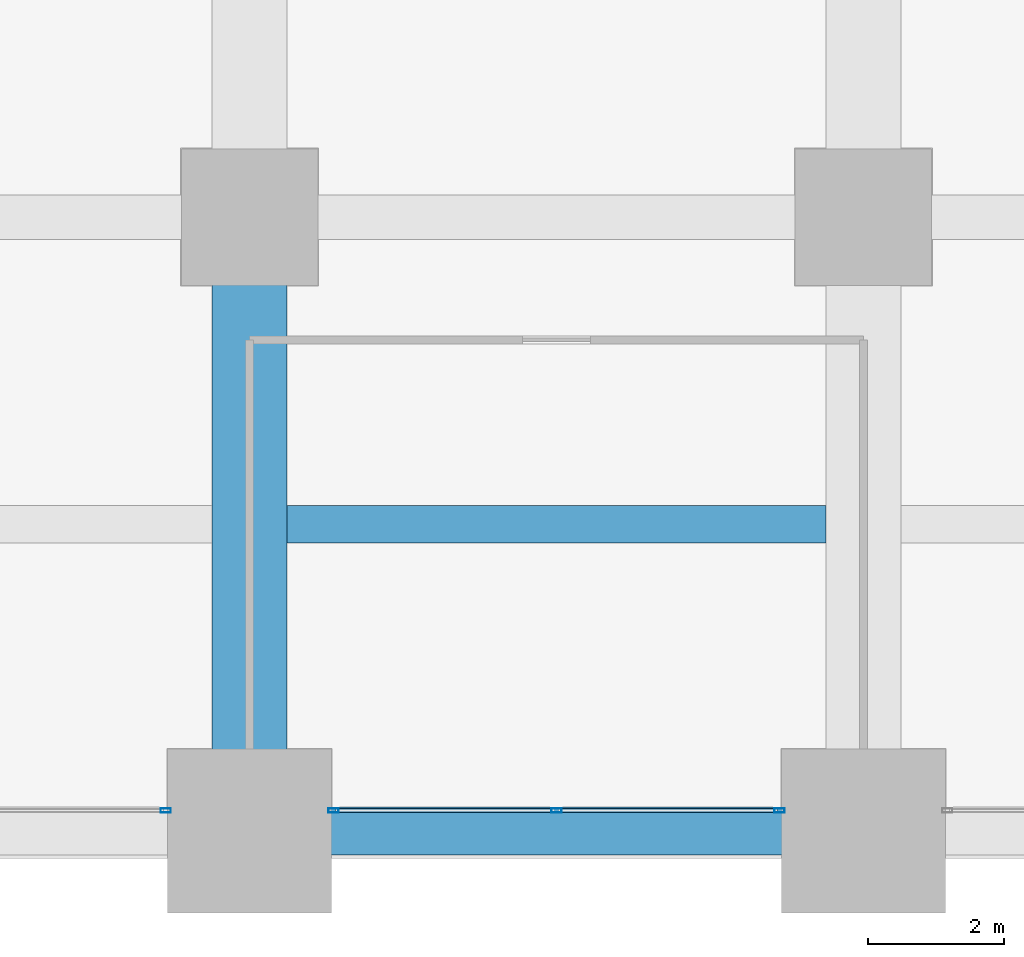
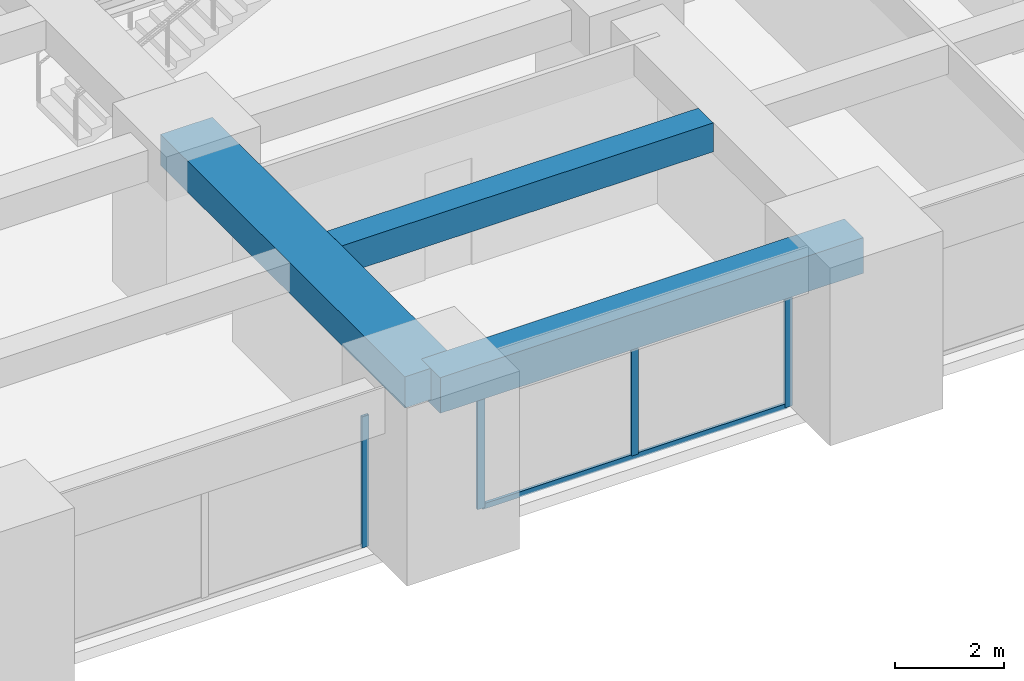
# One storey, part 6 of 39: 5 members, 3 beams, 2 elements without a shape of their own.
"""IFC4 building model written with IfcOpenShell, lengths in metres."""

from ifc_helpers import new_model, si_unit, direction, frame, origin, origin_2d, place, context, subcontext, project, spatial, rectangle, hollow_rectangle, extrude, material, material_profile, profile_set, type_object, element, aggregate, save


model = new_model("IFC4")

# Units and contexts
model_context = context("Model", 3, precision=1e-05, world=origin(), true_north=direction((0.0, 1.0)))
body_context = subcontext(model_context, "Body", "Model", "MODEL_VIEW")
ifc_project = project(units=[si_unit("LENGTHUNIT", "METRE"), si_unit("AREAUNIT", "SQUARE_METRE"), si_unit("VOLUMEUNIT", "CUBIC_METRE"), si_unit("PLANEANGLEUNIT", "RADIAN"), si_unit("MASSUNIT", "GRAM", prefix="KILO")], contexts=[model_context])

# Site, building, storey
site_placement = place(None, origin())
site = spatial("IfcSite", under=ifc_project, at=site_placement, CompositionType="ELEMENT")
building_placement = place(site_placement, origin())
building = spatial("IfcBuilding", under=site, at=building_placement, Name="Zorevar Civic Tower", CompositionType="ELEMENT")
storey_placement = place(building_placement, frame((0.0, 0.0, 117.0)))
storey = spatial("IfcBuildingStorey", under=building, at=storey_placement, Name="L28", CompositionType="ELEMENT", Elevation=117.0)

# Beams
ifc_material_1 = material(Name="Concrete C50/60", Category="concrete")
ifc_material_profile_1 = material_profile(ifc_material_1, rectangle(XDim=1.10009765625, YDim=0.699951171875, at=origin_2d()), Name="RC 1100x700")
ifc_profile_set_1 = profile_set([ifc_material_profile_1], Name="Concrete C50/60")
beam_type_1 = type_object("IfcBeamType", Name="Beam RC 1100x700", PredefinedType="BEAM", material=ifc_profile_set_1)
beam_1_placement = place(storey_placement, frame((18.0, 0.0, 3.39990234375), z_axis=(0.0, 1.0, 0.0), x_axis=(-1.0, 0.0, 0.0)))
element("IfcBeam", 1, at=beam_1_placement, inside=storey, type_object=beam_type_1, Name="Girder L29", PredefinedType="BEAM", context=body_context, shape_type="SweptSolid", body=[
    extrude(rectangle(XDim=1.10009765625, YDim=0.699951171875, at=origin_2d()), origin(), (0.0, 0.0, 1.0), 9.0),
])
ifc_material_2 = material(Name="Concrete C50/60", Category="concrete")
ifc_material_profile_2 = material_profile(ifc_material_2, rectangle(XDim=0.550048828125, YDim=0.64990234375, at=origin_2d()), Name="RC 550x650")
ifc_profile_set_2 = profile_set([ifc_material_profile_2], Name="Concrete C50/60")
beam_type_2 = type_object("IfcBeamType", Name="Beam RC 550x650", PredefinedType="BEAM", material=ifc_profile_set_2)
beam_2_placement = place(storey_placement, frame((18.550048828125, 4.5, 3.425048828125), z_axis=(1.0, 0.0, 0.0), x_axis=(0.0, 1.0, 0.0)))
element("IfcBeam", 2, at=beam_2_placement, inside=storey, type_object=beam_type_2, Name="Secondary beam L29", PredefinedType="BEAM", context=body_context, shape_type="SweptSolid", body=[
    extrude(rectangle(XDim=0.550048828125, YDim=0.64990234375, at=origin_2d()), origin(), (0.0, 0.0, 1.0), 7.89990234375),
])

# Curtain wall, member
ifc_material_3 = material(Name="Dark grey solar-control glass in black aluminium frame", Category="aluminium")
curtain_wall_type = type_object("IfcCurtainWallType", Name="Curtain wall CW3 mid zone", PredefinedType="NOTDEFINED", material=ifc_material_3)
curtain_wall_1_placement = place(storey_placement, origin())
curtain_wall_1 = element("IfcCurtainWall", 3, at=curtain_wall_1_placement, inside=storey, type_object=curtain_wall_type, Name="CW3 L28", PredefinedType="NOTDEFINED")
ifc_material_4 = material(Name="Aluminium, black anodised", Category="aluminium")
ifc_material_profile_3 = material_profile(ifc_material_4, hollow_rectangle(XDim=0.06005859375, YDim=0.14990234375, WallThickness=0.00390625, at=origin_2d()), Name="AL 150x60x4")
ifc_profile_set_3 = profile_set([ifc_material_profile_3], Name="Aluminium, black anodised")
member_type_1 = type_object("IfcMemberType", Name="CW3 mullion AL 150x60x4", PredefinedType="MULLION", material=ifc_profile_set_3)
member_1_placement = place(storey_placement, frame((16.77001953125, 0.300048828125, 0.0), z_axis=(0.0, 0.0, 1.0), x_axis=(0.0, 1.0, 0.0)))
member_1 = element("IfcMember", 4, at=member_1_placement, type_object=member_type_1, Name="CW3 mullion 3", PredefinedType="MULLION", context=body_context, shape_type="SweptSolid", body=[
    extrude(hollow_rectangle(XDim=0.06005859375, YDim=0.14990234375, WallThickness=0.00390625, at=origin_2d()), origin(), (0.0, 0.0, 1.0), 2.949951171875),
])
aggregate(curtain_wall_1, [member_1])

# Curtain wall, members
curtain_wall_2_placement = place(storey_placement, origin())
curtain_wall_2 = element("IfcCurtainWall", 5, at=curtain_wall_2_placement, inside=storey, type_object=curtain_wall_type, Name="CW3 L28", PredefinedType="NOTDEFINED")
member_2_placement = place(storey_placement, frame((19.22998046875, 0.300048828125, 0.0), z_axis=(0.0, 0.0, 1.0), x_axis=(0.0, 1.0, 0.0)))
member_2 = element("IfcMember", 6, at=member_2_placement, type_object=member_type_1, Name="CW3 mullion 1", PredefinedType="MULLION", context=body_context, shape_type="SweptSolid", body=[
    extrude(hollow_rectangle(XDim=0.06005859375, YDim=0.14990234375, WallThickness=0.00390625, at=origin_2d()), origin(), (0.0, 0.0, 1.0), 2.949951171875),
])
member_3_placement = place(storey_placement, frame((22.5, 0.300048828125, 0.06005859375), z_axis=(0.0, 0.0, 1.0), x_axis=(0.0, 1.0, 0.0)))
member_3 = element("IfcMember", 7, at=member_3_placement, type_object=member_type_1, Name="CW3 mullion 2", PredefinedType="MULLION", context=body_context, shape_type="SweptSolid", body=[
    extrude(hollow_rectangle(XDim=0.06005859375, YDim=0.14990234375, WallThickness=0.00390625, at=origin_2d()), origin(), (0.0, 0.0, 1.0), 2.889892578125),
])
member_4_placement = place(storey_placement, frame((25.77001953125, 0.300048828125, 0.0), z_axis=(0.0, 0.0, 1.0), x_axis=(0.0, 1.0, 0.0)))
member_4 = element("IfcMember", 8, at=member_4_placement, type_object=member_type_1, Name="CW3 mullion 3", PredefinedType="MULLION", context=body_context, shape_type="SweptSolid", body=[
    extrude(hollow_rectangle(XDim=0.06005859375, YDim=0.14990234375, WallThickness=0.00390625, at=origin_2d()), origin(), (0.0, 0.0, 1.0), 2.949951171875),
])
ifc_material_5 = material(Name="Aluminium, black anodised", Category="aluminium")
ifc_material_profile_4 = material_profile(ifc_material_5, hollow_rectangle(XDim=0.06005859375, YDim=0.1201171875, WallThickness=0.0029296875, at=origin_2d()), Name="AL 120x60x3")
ifc_profile_set_4 = profile_set([ifc_material_profile_4], Name="Aluminium, black anodised")
member_type_2 = type_object("IfcMemberType", Name="CW3 transom AL 120x60x3", PredefinedType="USERDEFINED", material=ifc_profile_set_4)
member_5_placement = place(storey_placement, frame((19.260009765625, 0.300048828125, 0.030029296875), z_axis=(1.0, 0.0, 0.0), x_axis=(0.0, 1.0, 0.0)))
member_5 = element("IfcMember", 9, at=member_5_placement, type_object=member_type_2, Name="CW3 sill transom", ObjectType="TRANSOM", PredefinedType="USERDEFINED", context=body_context, shape_type="SweptSolid", body=[
    extrude(hollow_rectangle(XDim=0.06005859375, YDim=0.1201171875, WallThickness=0.0029296875, at=origin_2d()), origin(), (0.0, 0.0, 1.0), 6.47998046875),
])
aggregate(curtain_wall_2, [member_2, member_3, member_4, member_5])

# Beam
ifc_material_6 = material(Name="Concrete C50/60", Category="concrete")
ifc_material_profile_5 = material_profile(ifc_material_6, rectangle(XDim=0.699951171875, YDim=0.800048828125, at=origin_2d()), Name="RC 700x800")
ifc_profile_set_5 = profile_set([ifc_material_profile_5], Name="Concrete C50/60")
beam_type_3 = type_object("IfcBeamType", Name="Edge beam RC 700x800", PredefinedType="SPANDREL", material=ifc_profile_set_5)
beam_3_placement = place(storey_placement, frame((18.0, 0.0, 3.35009765625), z_axis=(1.0, 0.0, 0.0), x_axis=(0.0, 1.0, 0.0)))
element("IfcBeam", 10, at=beam_3_placement, inside=storey, type_object=beam_type_3, Name="Edge beam L29", PredefinedType="SPANDREL", context=body_context, shape_type="SweptSolid", body=[
    extrude(rectangle(XDim=0.699951171875, YDim=0.800048828125, at=origin_2d()), origin(), (0.0, 0.0, 1.0), 9.0),
])

save(model, "model.ifc")
